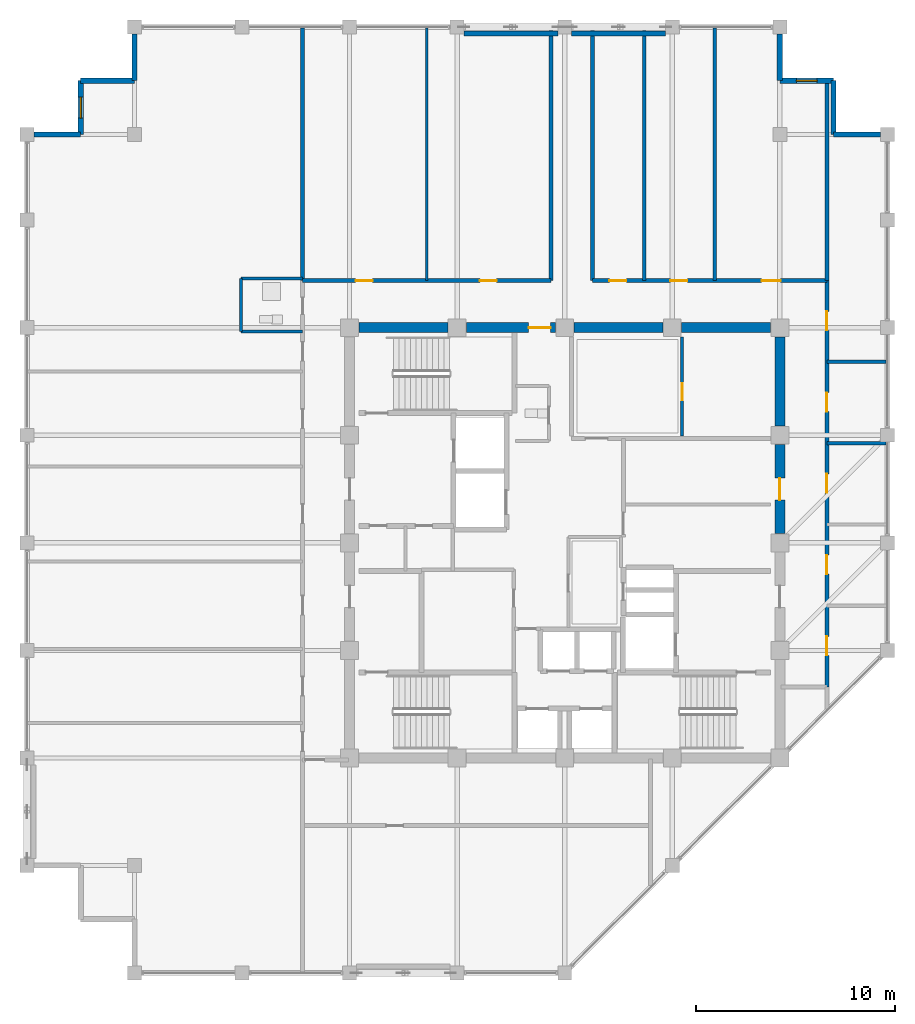
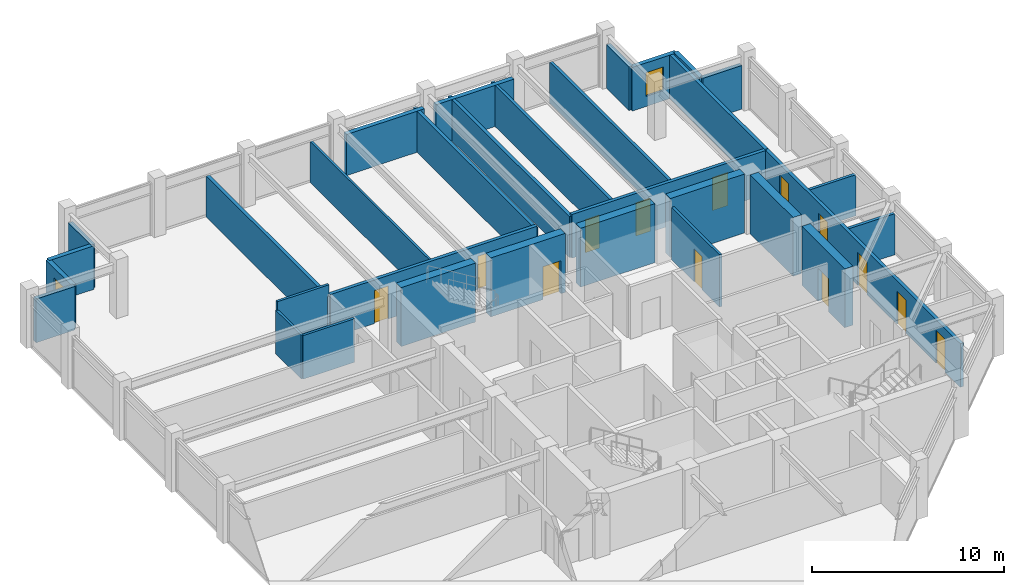
# One storey, part 28 of 31: 32 walls, 13 doors, 2 windows, 15 openings.
"""IFC4 building model written with IfcOpenShell, lengths in metres."""

from ifc_helpers import new_model, si_unit, direction, frame, frame_2d, origin, place, context, subcontext, project, spatial, rectangle, extrude, material, layer, layer_set, type_object, element, fill, save


model = new_model("IFC4")

# Units and contexts
model_context = context("Model", 3, precision=1e-05, world=origin(), true_north=direction((0.0, 1.0)))
body_context = subcontext(model_context, "Body", "Model", "MODEL_VIEW")
ifc_project = project(units=[si_unit("LENGTHUNIT", "METRE"), si_unit("AREAUNIT", "SQUARE_METRE"), si_unit("VOLUMEUNIT", "CUBIC_METRE"), si_unit("PLANEANGLEUNIT", "RADIAN"), si_unit("MASSUNIT", "GRAM", prefix="KILO")], contexts=[model_context])

# Site, building, storey
site_placement = place(None, origin())
site = spatial("IfcSite", under=ifc_project, at=site_placement, CompositionType="ELEMENT")
building_placement = place(site_placement, origin())
building = spatial("IfcBuilding", under=site, at=building_placement, Name="Surkhivell Harbour Commons", CompositionType="ELEMENT")
storey_placement = place(building_placement, frame((0.0, 0.0, 333.75)))
storey = spatial("IfcBuildingStorey", under=building, at=storey_placement, Name="L87", CompositionType="ELEMENT", Elevation=333.75)

# Wall
ifc_material_1 = material(Name="Concrete C50/60", Category="concrete")
ifc_layer_1 = layer(ifc_material_1, 0.5)
ifc_layer_set_1 = layer_set([ifc_layer_1], Name="Concrete C50/60")
wall_type_1 = type_object("IfcWallType", Name="WAL-CORE-500", PredefinedType="SHEAR", material=ifc_layer_set_1)
wall_1_placement = place(storey_placement, frame((-10.340087890625, 10.800048828125, 0.0), z_axis=(0.0, 0.0, 1.0), x_axis=(1.0, 0.0, 0.0)))
element("IfcWall", 1, at=wall_1_placement, inside=storey, type_object=wall_type_1, Name="L87 Core Shear Wall North 1", PredefinedType="SHEAR", context=body_context, shape_type="SweptSolid", body=[
    extrude(rectangle(XDim=4.47998046875, YDim=0.5, at=frame_2d((2.239990234375, 0.0))), origin(), (0.0, 0.0, 1.0), 3.75),
])

# Wall, opening, door
wall_2_placement = place(storey_placement, frame((-4.93994140625, 10.800048828125, 0.0), z_axis=(0.0, 0.0, 1.0), x_axis=(1.0, 0.0, 0.0)))
wall_2 = element("IfcWall", 2, at=wall_2_placement, inside=storey, type_object=wall_type_1, Name="L87 Core Shear Wall North 2", PredefinedType="SHEAR", context=body_context, shape_type="SweptSolid", body=[
    extrude(rectangle(XDim=4.47998046875, YDim=0.5, at=frame_2d((2.239990234375, 0.0))), origin(), (0.0, 0.0, 1.0), 3.75),
])
opening_1_placement = place(wall_2_placement, frame((3.1298828125, 0.0, 0.0)))
opening_1 = element("IfcOpeningElement", 3, at=opening_1_placement, cuts=wall_2, Name="Opening ID-2", PredefinedType="OPENING", context=body_context, shape_type="SweptSolid", body=[
    extrude(rectangle(XDim=1.10009765625, YDim=2.10009765625, at=frame_2d((0.550048828125, 1.050048828125))), frame((0.0, 0.260009765625, 0.0), z_axis=(0.0, -1.0, 0.0), x_axis=(1.0, 0.0, 0.0)), (0.0, 0.0, 1.0), 0.52001953125),
])
ifc_material_2 = material(Name="Hardwood-veneered fire-rated door leaf", Category="wood")
door_type_1 = type_object("IfcDoorType", Name="DOR-FD60-1100", OperationType="NOTDEFINED", PredefinedType="DOOR", material=ifc_material_2)
door_1_placement = place(opening_1_placement, origin())
door_1 = element("IfcDoor", 4, at=door_1_placement, inside=storey, type_object=door_type_1, Name="L87 Central Core Lift Hall North Corridor Door", OperationType="SINGLE_SWING_LEFT", OverallHeight=2.10009765625, OverallWidth=1.10009765625, PredefinedType="DOOR", context=body_context, shape_type="SweptSolid", body=[
    extrude(rectangle(XDim=1.10009765625, YDim=2.10009765625, at=frame_2d((0.550048828125, 1.050048828125))), frame((0.0, 0.02490234375, 0.0), z_axis=(0.0, -1.0, 0.0), x_axis=(1.0, 0.0, 0.0)), (0.0, 0.0, 1.0), 0.050048828125),
])
fill(opening_1, door_1)

# Wall
wall_3_placement = place(storey_placement, frame((0.4599609375, 10.800048828125, 0.0), z_axis=(0.0, 0.0, 1.0), x_axis=(1.0, 0.0, 0.0)))
element("IfcWall", 5, at=wall_3_placement, inside=storey, type_object=wall_type_1, Name="L87 Core Shear Wall North 3", PredefinedType="SHEAR", context=body_context, shape_type="SweptSolid", body=[
    extrude(rectangle(XDim=4.47998046875, YDim=0.5, at=frame_2d((2.239990234375, 0.0))), origin(), (0.0, 0.0, 1.0), 3.75),
])

# Wall, opening, door
wall_4_placement = place(storey_placement, frame((10.800048828125, 0.4599609375, 0.0), z_axis=(0.0, 0.0, 1.0), x_axis=(0.0, 1.0, 0.0)))
wall_4 = element("IfcWall", 6, at=wall_4_placement, inside=storey, type_object=wall_type_1, Name="L87 Core Shear Wall East 3", PredefinedType="SHEAR", context=body_context, shape_type="SweptSolid", body=[
    extrude(rectangle(XDim=4.47998046875, YDim=0.5, at=frame_2d((2.239990234375, 0.0))), origin(), (0.0, 0.0, 1.0), 3.75),
])
opening_2_placement = place(wall_4_placement, frame((1.68994140625, 0.0, 0.0)))
opening_2 = element("IfcOpeningElement", 7, at=opening_2_placement, cuts=wall_4, Name="Opening ID-2", PredefinedType="OPENING", context=body_context, shape_type="SweptSolid", body=[
    extrude(rectangle(XDim=1.10009765625, YDim=2.10009765625, at=frame_2d((0.550048828125, 1.050048828125))), frame((0.0, 0.260009765625, 0.0), z_axis=(0.0, -1.0, 0.0), x_axis=(1.0, 0.0, 0.0)), (0.0, 0.0, 1.0), 0.52001953125),
])
door_2_placement = place(opening_2_placement, origin())
door_2 = element("IfcDoor", 8, at=door_2_placement, inside=storey, type_object=door_type_1, Name="L87 Quiet Study B East Door", OperationType="SINGLE_SWING_RIGHT", OverallHeight=2.10009765625, OverallWidth=1.10009765625, PredefinedType="DOOR", context=body_context, shape_type="SweptSolid", body=[
    extrude(rectangle(XDim=1.10009765625, YDim=2.10009765625, at=frame_2d((0.550048828125, 1.050048828125))), frame((0.0, 0.02490234375, 0.0), z_axis=(0.0, -1.0, 0.0), x_axis=(1.0, 0.0, 0.0)), (0.0, 0.0, 1.0), 0.050048828125),
])
fill(opening_2, door_2)

# Walls
for number, where, z_axis, x_axis, name in (
    (9, (5.860107421875, 10.800048828125, 0.0), (0.0, 0.0, 1.0), (1.0, 0.0, 0.0), "L87 Core Shear Wall North 4"),
    (10, (10.800048828125, 5.860107421875, 0.0), (0.0, 0.0, 1.0), (0.0, 1.0, 0.0), "L87 Core Shear Wall East 4"),
):
    element("IfcWall", number, at=place(storey_placement, frame(where, z_axis=z_axis, x_axis=x_axis)), inside=storey, type_object=wall_type_1, Name=name, PredefinedType="SHEAR", context=body_context, shape_type="SweptSolid", body=[
        extrude(rectangle(XDim=4.47998046875, YDim=0.5, at=frame_2d((2.239990234375, 0.0))), origin(), (0.0, 0.0, 1.0), 3.75),
    ])
ifc_material_3 = material(Name="Pale-metal insulated precast concrete C45/55", Category="concrete")
ifc_layer_2 = layer(ifc_material_3, 0.260009765625)
ifc_layer_set_2 = layer_set([ifc_layer_2], Name="Pale-metal insulated precast concrete C45/55")
wall_type_2 = type_object("IfcWallType", Name="WAL-EXT-MTL260", PredefinedType="STANDARD", material=ifc_layer_set_2)
wall_5_placement = place(storey_placement, frame((15.85205078125, 20.5, 0.0), z_axis=(0.0, 0.0, 1.0), x_axis=(-1.0, 0.0, 0.0)))
element("IfcWall", 11, at=wall_5_placement, inside=storey, type_object=wall_type_2, Name="L87 Serrated Corner Facade Wall 03", PredefinedType="STANDARD", context=body_context, shape_type="SweptSolid", body=[
    extrude(rectangle(XDim=2.35205078125, YDim=0.260009765625, at=frame_2d((1.176025390625, 0.0))), origin(), (0.0, 0.0, 1.0), 2.77294921875),
])
wall_6_placement = place(storey_placement, frame((13.5, 20.5, 0.0), z_axis=(0.0, 0.0, 1.0), x_axis=(0.0, 1.0, 0.0)))
element("IfcWall", 12, at=wall_6_placement, inside=storey, type_object=wall_type_2, Name="L87 Serrated Corner Facade Wall 04", PredefinedType="STANDARD", context=body_context, shape_type="SweptSolid", body=[
    extrude(rectangle(XDim=2.699951171875, YDim=0.260009765625, at=frame_2d((1.35009765625, 0.0))), origin(), (0.0, 0.0, 1.0), 2.77294921875),
])

# Wall, opening, window
wall_7_placement = place(storey_placement, frame((13.5, 23.199951171875, 0.0), z_axis=(0.0, 0.0, 1.0), x_axis=(-1.0, 0.0, 0.0)))
wall_7 = element("IfcWall", 13, at=wall_7_placement, inside=storey, type_object=wall_type_2, Name="L87 Serrated Corner Facade Wall 05", PredefinedType="STANDARD", context=body_context, shape_type="SweptSolid", body=[
    extrude(rectangle(XDim=2.699951171875, YDim=0.260009765625, at=frame_2d((1.35009765625, 0.0))), origin(), (0.0, 0.0, 1.0), 2.77294921875),
])
opening_3_placement = place(wall_7_placement, frame((0.824951171875, 0.0, 0.64990234375)))
opening_3 = element("IfcOpeningElement", 14, at=opening_3_placement, cuts=wall_7, Name="Opening WN-11", PredefinedType="OPENING", context=body_context, shape_type="SweptSolid", body=[
    extrude(rectangle(XDim=1.050048828125, YDim=1.5, at=frame_2d((0.52490234375, 0.75))), frame((0.0, 0.139892578125, 0.0), z_axis=(0.0, -1.0, 0.0), x_axis=(1.0, 0.0, 0.0)), (0.0, 0.0, 1.0), 0.280029296875),
])
ifc_material_4 = material(Name="Thermal-break aluminium frame and double low-E glazing", Category="aluminium")
window_type = type_object("IfcWindowType", Name="WIN-SER-1050x1500", PartitioningType="SINGLE_PANEL", PredefinedType="WINDOW", material=ifc_material_4)
window_1_placement = place(opening_3_placement, origin())
window_1 = element("IfcWindow", 15, at=window_1_placement, inside=storey, type_object=window_type, Name="L87 Serrated Alcove Window 05", OverallHeight=1.5, OverallWidth=1.050048828125, PartitioningType="SINGLE_PANEL", PredefinedType="WINDOW", context=body_context, shape_type="SweptSolid", body=[
    extrude(rectangle(XDim=1.050048828125, YDim=1.5, at=frame_2d((0.52490234375, 0.75))), frame((0.0, 0.030029296875, 0.0), z_axis=(0.0, -1.0, 0.0), x_axis=(1.0, 0.0, 0.0)), (0.0, 0.0, 1.0), 0.06005859375),
])
fill(opening_3, window_1)

# Walls
wall_8_placement = place(storey_placement, frame((10.800048828125, 23.199951171875, 0.0), z_axis=(0.0, 0.0, 1.0), x_axis=(0.0, 1.0, 0.0)))
element("IfcWall", 16, at=wall_8_placement, inside=storey, type_object=wall_type_2, Name="L87 Serrated Corner Facade Wall 06", PredefinedType="STANDARD", context=body_context, shape_type="SweptSolid", body=[
    extrude(rectangle(XDim=2.35205078125, YDim=0.260009765625, at=frame_2d((1.176025390625, 0.0))), origin(), (0.0, 0.0, 1.0), 2.77294921875),
])
for number, where, z_axis, x_axis, name in (
    (17, (-0.347900390625, 25.56494140625, 0.0), (0.0, 0.0, 1.0), (-1.0, 0.0, 0.0), "L87 Braced-Bay Insulated Spandrel Backing N"),
    (18, (5.052001953125, 25.56494140625, 0.0), (0.0, 0.0, 1.0), (-1.0, 0.0, 0.0), "L87 Braced-Bay Insulated Spandrel Backing N2"),
):
    element("IfcWall", number, at=place(storey_placement, frame(where, z_axis=z_axis, x_axis=x_axis)), inside=storey, type_object=wall_type_2, Name=name, PredefinedType="STANDARD", context=body_context, shape_type="SweptSolid", body=[
        extrude(rectangle(XDim=4.7041015625, YDim=0.260009765625, at=frame_2d((2.35205078125, 0.0))), origin(), (0.0, 0.0, 1.0), 2.616943359375),
    ])
wall_9_placement = place(storey_placement, frame((-21.60009765625, 25.552001953125, 0.0), z_axis=(0.0, 0.0, 1.0), x_axis=(0.0, -1.0, 0.0)))
element("IfcWall", 19, at=wall_9_placement, inside=storey, type_object=wall_type_2, Name="L87 Serrated Corner Facade Wall 08", PredefinedType="STANDARD", context=body_context, shape_type="SweptSolid", body=[
    extrude(rectangle(XDim=2.35205078125, YDim=0.260009765625, at=frame_2d((1.176025390625, 0.0))), origin(), (0.0, 0.0, 1.0), 2.77294921875),
])
wall_10_placement = place(storey_placement, frame((-21.60009765625, 23.199951171875, 0.0), z_axis=(0.0, 0.0, 1.0), x_axis=(-1.0, 0.0, 0.0)))
element("IfcWall", 20, at=wall_10_placement, inside=storey, type_object=wall_type_2, Name="L87 Serrated Corner Facade Wall 09", PredefinedType="STANDARD", context=body_context, shape_type="SweptSolid", body=[
    extrude(rectangle(XDim=2.699951171875, YDim=0.260009765625, at=frame_2d((1.35009765625, 0.0))), origin(), (0.0, 0.0, 1.0), 2.77294921875),
])

# Wall, opening, window
wall_11_placement = place(storey_placement, frame((-24.300048828125, 23.199951171875, 0.0), z_axis=(0.0, 0.0, 1.0), x_axis=(0.0, -1.0, 0.0)))
wall_11 = element("IfcWall", 21, at=wall_11_placement, inside=storey, type_object=wall_type_2, Name="L87 Serrated Corner Facade Wall 10", PredefinedType="STANDARD", context=body_context, shape_type="SweptSolid", body=[
    extrude(rectangle(XDim=2.699951171875, YDim=0.260009765625, at=frame_2d((1.35009765625, 0.0))), origin(), (0.0, 0.0, 1.0), 2.77294921875),
])
opening_4_placement = place(wall_11_placement, frame((0.824951171875, 0.0, 0.64990234375)))
opening_4 = element("IfcOpeningElement", 22, at=opening_4_placement, cuts=wall_11, Name="Opening WN-11", PredefinedType="OPENING", context=body_context, shape_type="SweptSolid", body=[
    extrude(rectangle(XDim=1.050048828125, YDim=1.5, at=frame_2d((0.52490234375, 0.75))), frame((0.0, 0.139892578125, 0.0), z_axis=(0.0, -1.0, 0.0), x_axis=(1.0, 0.0, 0.0)), (0.0, 0.0, 1.0), 0.280029296875),
])
window_2_placement = place(opening_4_placement, origin())
window_2 = element("IfcWindow", 23, at=window_2_placement, inside=storey, type_object=window_type, Name="L87 Serrated Alcove Window 10", OverallHeight=1.5, OverallWidth=1.050048828125, PartitioningType="SINGLE_PANEL", PredefinedType="WINDOW", context=body_context, shape_type="SweptSolid", body=[
    extrude(rectangle(XDim=1.050048828125, YDim=1.5, at=frame_2d((0.52490234375, 0.75))), frame((0.0, 0.030029296875, 0.0), z_axis=(0.0, -1.0, 0.0), x_axis=(1.0, 0.0, 0.0)), (0.0, 0.0, 1.0), 0.06005859375),
])
fill(opening_4, window_2)

# Walls
wall_12_placement = place(storey_placement, frame((-24.300048828125, 20.5, 0.0), z_axis=(0.0, 0.0, 1.0), x_axis=(-1.0, 0.0, 0.0)))
element("IfcWall", 24, at=wall_12_placement, inside=storey, type_object=wall_type_2, Name="L87 Serrated Corner Facade Wall 11", PredefinedType="STANDARD", context=body_context, shape_type="SweptSolid", body=[
    extrude(rectangle(XDim=2.35205078125, YDim=0.260009765625, at=frame_2d((1.176025390625, 0.0))), origin(), (0.0, 0.0, 1.0), 2.77294921875),
])
ifc_material_5 = material(Name="Moisture-resistant acoustic stud partition", Category="other")
ifc_layer_3 = layer(ifc_material_5, 0.125)
ifc_layer_set_3 = layer_set([ifc_layer_3], Name="Moisture-resistant acoustic stud partition")
wall_type_3 = type_object("IfcWallType", Name="WAL-INT-125", PredefinedType="PARTITIONING", material=ifc_layer_set_3)
wall_13_placement = place(storey_placement, frame((-6.929931640625, 13.159912109375, 0.0), z_axis=(0.0, 0.0, 1.0), x_axis=(0.0, 1.0, 0.0)))
element("IfcWall", 25, at=wall_13_placement, inside=storey, type_object=wall_type_3, Name="L87 North-West Partition P1", PredefinedType="PARTITIONING", context=body_context, shape_type="SweptSolid", body=[
    extrude(rectangle(XDim=12.68017578125, YDim=0.125, at=frame_2d((6.340087890625, 0.0))), origin(), (0.0, 0.0, 1.0), 2.616943359375),
])

# Wall, opening, door
ifc_material_6 = material(Name="Twin-stud acoustic fireboard partition", Category="other")
ifc_layer_4 = layer(ifc_material_6, 0.14990234375)
ifc_layer_set_4 = layer_set([ifc_layer_4], Name="Twin-stud acoustic fireboard partition")
wall_type_4 = type_object("IfcWallType", Name="WAL-INT-150", PredefinedType="PARTITIONING", material=ifc_layer_set_4)
wall_14_placement = place(storey_placement, frame((5.89990234375, 5.360107421875, 0.0), z_axis=(0.0, 0.0, 1.0), x_axis=(0.0, 1.0, 0.0)))
wall_14 = element("IfcWall", 26, at=wall_14_placement, inside=storey, type_object=wall_type_4, Name="L87 Study Pod Wall 1", PredefinedType="PARTITIONING", context=body_context, shape_type="SweptSolid", body=[
    extrude(rectangle(XDim=4.97998046875, YDim=0.14990234375, at=frame_2d((2.489990234375, 0.0))), origin(), (0.0, 0.0, 1.0), 3.330078125),
])
opening_5_placement = place(wall_14_placement, frame((1.800048828125, 0.0, 0.0)))
opening_5 = element("IfcOpeningElement", 27, at=opening_5_placement, cuts=wall_14, Name="Opening ID-6", PredefinedType="OPENING", context=body_context, shape_type="SweptSolid", body=[
    extrude(rectangle(XDim=0.85009765625, YDim=2.10009765625, at=frame_2d((0.425048828125, 1.050048828125))), frame((0.0, 0.0849609375, 0.0), z_axis=(0.0, -1.0, 0.0), x_axis=(1.0, 0.0, 0.0)), (0.0, 0.0, 1.0), 0.169921875),
])
door_type_2 = type_object("IfcDoorType", Name="DOR-FD30-850", OperationType="NOTDEFINED", PredefinedType="DOOR", material=ifc_material_2)
door_3_placement = place(opening_5_placement, origin())
door_3 = element("IfcDoor", 28, at=door_3_placement, inside=storey, type_object=door_type_2, Name="L87 Core Music Door", OperationType="SINGLE_SWING_RIGHT", OverallHeight=2.10009765625, OverallWidth=0.85009765625, PredefinedType="DOOR", context=body_context, shape_type="SweptSolid", body=[
    extrude(rectangle(XDim=0.85009765625, YDim=2.10009765625, at=frame_2d((0.425048828125, 1.050048828125))), frame((0.0, 0.02490234375, 0.0), z_axis=(0.0, -1.0, 0.0), x_axis=(1.0, 0.0, 0.0)), (0.0, 0.0, 1.0), 0.050048828125),
])
fill(opening_5, door_3)

# Walls
wall_15_placement = place(storey_placement, frame((-16.260009765625, 10.610107421875, 0.0), z_axis=(0.0, 0.0, 1.0), x_axis=(0.0, 1.0, 0.0)))
element("IfcWall", 29, at=wall_15_placement, inside=storey, type_object=wall_type_4, Name="L87 West Partition BTHB", PredefinedType="PARTITIONING", context=body_context, shape_type="SweptSolid", body=[
    extrude(rectangle(XDim=2.64990234375, YDim=0.14990234375, at=frame_2d((1.324951171875, 0.0))), origin(), (0.0, 0.0, 1.0), 2.77294921875),
])
wall_16_placement = place(storey_placement, frame((-16.260009765625, 13.260009765625, 0.0), z_axis=(0.0, 0.0, 1.0), x_axis=(1.0, 0.0, 0.0)))
element("IfcWall", 30, at=wall_16_placement, inside=storey, type_object=wall_type_4, Name="L87 West Partition BTHN", PredefinedType="PARTITIONING", context=body_context, shape_type="SweptSolid", body=[
    extrude(rectangle(XDim=3.10009765625, YDim=0.14990234375, at=frame_2d((1.550048828125, 0.0))), origin(), (0.0, 0.0, 1.0), 3.330078125),
])
wall_17_placement = place(storey_placement, frame((-16.260009765625, 10.610107421875, 0.0), z_axis=(0.0, 0.0, 1.0), x_axis=(1.0, 0.0, 0.0)))
element("IfcWall", 31, at=wall_17_placement, inside=storey, type_object=wall_type_4, Name="L87 West Partition BTHS", PredefinedType="PARTITIONING", context=body_context, shape_type="SweptSolid", body=[
    extrude(rectangle(XDim=3.10009765625, YDim=0.14990234375, at=frame_2d((1.550048828125, 0.0))), origin(), (0.0, 0.0, 1.0), 2.77294921875),
])
ifc_material_7 = material(Name="High-density acoustic blockwork fire partition", Category="masonry")
ifc_layer_5 = layer(ifc_material_7, 0.175048828125)
ifc_layer_set_5 = layer_set([ifc_layer_5], Name="High-density acoustic blockwork fire partition")
wall_type_5 = type_object("IfcWallType", Name="WAL-INT-175", PredefinedType="PARTITIONING", material=ifc_layer_set_5)
for number, where, z_axis, x_axis, name in (
    (32, (13.159912109375, 5.0, 0.0), (0.0, 0.0, 1.0), (1.0, 0.0, 0.0), "L87 East Partition P3"),
    (33, (13.159912109375, 9.080078125, 0.0), (0.0, 0.0, 1.0), (1.0, 0.0, 0.0), "L87 East Partition P4"),
):
    element("IfcWall", number, at=place(storey_placement, frame(where, z_axis=z_axis, x_axis=x_axis)), inside=storey, type_object=wall_type_5, Name=name, PredefinedType="PARTITIONING", context=body_context, shape_type="SweptSolid", body=[
        extrude(rectangle(XDim=2.97998046875, YDim=0.175048828125, at=frame_2d((1.489990234375, 0.0))), origin(), (0.0, 0.0, 1.0), 2.616943359375),
    ])
for number, where, z_axis, x_axis, name in (
    (34, (3.989990234375, 13.159912109375, 0.0), (0.0, 0.0, 1.0), (0.0, 1.0, 0.0), "L87 North-East Partition P1"),
    (35, (7.52001953125, 13.159912109375, 0.0), (0.0, 0.0, 1.0), (0.0, 1.0, 0.0), "L87 North-East Partition P2"),
):
    element("IfcWall", number, at=place(storey_placement, frame(where, z_axis=z_axis, x_axis=x_axis)), inside=storey, type_object=wall_type_5, Name=name, PredefinedType="PARTITIONING", context=body_context, shape_type="SweptSolid", body=[
        extrude(rectangle(XDim=12.68017578125, YDim=0.175048828125, at=frame_2d((6.340087890625, 0.0))), origin(), (0.0, 0.0, 1.0), 2.616943359375),
    ])
ifc_material_8 = material(Name="Autoclaved aerated concrete blockwork and fire plaster", Category="masonry")
ifc_layer_6 = layer(ifc_material_8, 0.199951171875)
ifc_layer_set_6 = layer_set([ifc_layer_6], Name="Autoclaved aerated concrete blockwork and fire plaster")
wall_type_6 = type_object("IfcWallType", Name="WAL-INT-200", PredefinedType="PARTITIONING", material=ifc_layer_set_6)
wall_18_placement = place(storey_placement, frame((13.159912109375, 13.159912109375, 0.0), z_axis=(0.0, 0.0, 1.0), x_axis=(0.0, 1.0, 0.0)))
element("IfcWall", 36, at=wall_18_placement, inside=storey, type_object=wall_type_6, Name="L87 North-East Corner Wall", PredefinedType="PARTITIONING", context=body_context, shape_type="SweptSolid", body=[
    extrude(rectangle(XDim=9.97998046875, YDim=0.199951171875, at=frame_2d((4.989990234375, 0.0))), origin(), (0.0, 0.0, 1.0), 2.77294921875),
])
wall_19_placement = place(storey_placement, frame((-13.159912109375, 13.159912109375, 0.0), z_axis=(0.0, 0.0, 1.0), x_axis=(0.0, 1.0, 0.0)))
element("IfcWall", 37, at=wall_19_placement, inside=storey, type_object=wall_type_6, Name="L87 North-West Corner Wall", PredefinedType="PARTITIONING", context=body_context, shape_type="SweptSolid", body=[
    extrude(rectangle(XDim=12.68017578125, YDim=0.199951171875, at=frame_2d((6.340087890625, 0.0))), origin(), (0.0, 0.0, 1.0), 2.616943359375),
])

# Wall, openings, doors
wall_20_placement = place(storey_placement, frame((13.159912109375, -7.239990234375, 0.0), z_axis=(0.0, 0.0, 1.0), x_axis=(0.0, 1.0, 0.0)))
wall_20 = element("IfcWall", 38, at=wall_20_placement, inside=storey, type_object=wall_type_6, Name="L87 East Corridor Wall", PredefinedType="PARTITIONING", context=body_context, shape_type="SweptSolid", body=[
    extrude(rectangle(XDim=20.39990234375, YDim=0.199951171875, at=frame_2d((10.199951171875, 0.0))), origin(), (0.0, 0.0, 1.0), 2.77294921875),
])
opening_6_placement = place(wall_20_placement, frame((1.590087890625, 0.0, 0.0)))
opening_6 = element("IfcOpeningElement", 39, at=opening_6_placement, cuts=wall_20, Name="Opening ID-4", PredefinedType="OPENING", context=body_context, shape_type="SweptSolid", body=[
    extrude(rectangle(XDim=0.949951171875, YDim=2.10009765625, at=frame_2d((0.47509765625, 1.050048828125))), frame((0.0, 0.10986328125, 0.0), z_axis=(0.0, -1.0, 0.0), x_axis=(1.0, 0.0, 0.0)), (0.0, 0.0, 1.0), 0.219970703125),
])
opening_7_placement = place(wall_20_placement, frame((5.669921875, 0.0, 0.0)))
opening_7 = element("IfcOpeningElement", 40, at=opening_7_placement, cuts=wall_20, Name="Opening ID-4", PredefinedType="OPENING", context=body_context, shape_type="SweptSolid", body=[
    extrude(rectangle(XDim=0.949951171875, YDim=2.10009765625, at=frame_2d((0.47509765625, 1.050048828125))), frame((0.0, 0.10986328125, 0.0), z_axis=(0.0, -1.0, 0.0), x_axis=(1.0, 0.0, 0.0)), (0.0, 0.0, 1.0), 0.219970703125),
])
opening_8_placement = place(wall_20_placement, frame((9.75, 0.0, 0.0)))
opening_8 = element("IfcOpeningElement", 41, at=opening_8_placement, cuts=wall_20, Name="Opening ID-4", PredefinedType="OPENING", context=body_context, shape_type="SweptSolid", body=[
    extrude(rectangle(XDim=0.949951171875, YDim=2.10009765625, at=frame_2d((0.47509765625, 1.050048828125))), frame((0.0, 0.10986328125, 0.0), z_axis=(0.0, -1.0, 0.0), x_axis=(1.0, 0.0, 0.0)), (0.0, 0.0, 1.0), 0.219970703125),
])
opening_9_placement = place(wall_20_placement, frame((13.830078125, 0.0, 0.0)))
opening_9 = element("IfcOpeningElement", 42, at=opening_9_placement, cuts=wall_20, Name="Opening ID-4", PredefinedType="OPENING", context=body_context, shape_type="SweptSolid", body=[
    extrude(rectangle(XDim=0.949951171875, YDim=2.10009765625, at=frame_2d((0.47509765625, 1.050048828125))), frame((0.0, 0.10986328125, 0.0), z_axis=(0.0, -1.0, 0.0), x_axis=(1.0, 0.0, 0.0)), (0.0, 0.0, 1.0), 0.219970703125),
])
opening_10_placement = place(wall_20_placement, frame((17.909912109375, 0.0, 0.0)))
opening_10 = element("IfcOpeningElement", 43, at=opening_10_placement, cuts=wall_20, Name="Opening ID-4", PredefinedType="OPENING", context=body_context, shape_type="SweptSolid", body=[
    extrude(rectangle(XDim=0.949951171875, YDim=2.10009765625, at=frame_2d((0.47509765625, 1.050048828125))), frame((0.0, 0.10986328125, 0.0), z_axis=(0.0, -1.0, 0.0), x_axis=(1.0, 0.0, 0.0)), (0.0, 0.0, 1.0), 0.219970703125),
])
door_type_3 = type_object("IfcDoorType", Name="DOR-FD60-950", OperationType="NOTDEFINED", PredefinedType="DOOR", material=ifc_material_2)
door_4_placement = place(opening_6_placement, origin())
door_4 = element("IfcDoor", 44, at=door_4_placement, inside=storey, type_object=door_type_3, Name="L87 Co-Working Study Office Pod 1 East Door", OperationType="SINGLE_SWING_LEFT", OverallHeight=2.10009765625, OverallWidth=0.949951171875, PredefinedType="DOOR", context=body_context, shape_type="SweptSolid", body=[
    extrude(rectangle(XDim=0.949951171875, YDim=2.10009765625, at=frame_2d((0.47509765625, 1.050048828125))), frame((0.0, 0.02490234375, 0.0), z_axis=(0.0, -1.0, 0.0), x_axis=(1.0, 0.0, 0.0)), (0.0, 0.0, 1.0), 0.050048828125),
])
fill(opening_6, door_4)
door_5_placement = place(opening_7_placement, origin())
door_5 = element("IfcDoor", 45, at=door_5_placement, inside=storey, type_object=door_type_3, Name="L87 Academic Seminar Pod 2 East Door", OperationType="SINGLE_SWING_RIGHT", OverallHeight=2.10009765625, OverallWidth=0.949951171875, PredefinedType="DOOR", context=body_context, shape_type="SweptSolid", body=[
    extrude(rectangle(XDim=0.949951171875, YDim=2.10009765625, at=frame_2d((0.47509765625, 1.050048828125))), frame((0.0, 0.02490234375, 0.0), z_axis=(0.0, -1.0, 0.0), x_axis=(1.0, 0.0, 0.0)), (0.0, 0.0, 1.0), 0.050048828125),
])
fill(opening_7, door_5)
door_6_placement = place(opening_8_placement, origin())
door_6 = element("IfcDoor", 46, at=door_6_placement, inside=storey, type_object=door_type_3, Name="L87 Harbour Espresso Cafe Shop 3 East Door", OperationType="SINGLE_SWING_LEFT", OverallHeight=2.10009765625, OverallWidth=0.949951171875, PredefinedType="DOOR", context=body_context, shape_type="SweptSolid", body=[
    extrude(rectangle(XDim=0.949951171875, YDim=2.10009765625, at=frame_2d((0.47509765625, 1.050048828125))), frame((0.0, 0.02490234375, 0.0), z_axis=(0.0, -1.0, 0.0), x_axis=(1.0, 0.0, 0.0)), (0.0, 0.0, 1.0), 0.050048828125),
])
fill(opening_8, door_6)
door_7_placement = place(opening_9_placement, origin())
door_7 = element("IfcDoor", 47, at=door_7_placement, inside=storey, type_object=door_type_3, Name="L87 Zone Concierge Reception Foyer 4 East Door", OperationType="SINGLE_SWING_RIGHT", OverallHeight=2.10009765625, OverallWidth=0.949951171875, PredefinedType="DOOR", context=body_context, shape_type="SweptSolid", body=[
    extrude(rectangle(XDim=0.949951171875, YDim=2.10009765625, at=frame_2d((0.47509765625, 1.050048828125))), frame((0.0, 0.02490234375, 0.0), z_axis=(0.0, -1.0, 0.0), x_axis=(1.0, 0.0, 0.0)), (0.0, 0.0, 1.0), 0.050048828125),
])
fill(opening_9, door_7)
door_8_placement = place(opening_10_placement, origin())
door_8 = element("IfcDoor", 48, at=door_8_placement, inside=storey, type_object=door_type_3, Name="L87 Shared Communal Kitchen 5 East Door", OperationType="SINGLE_SWING_LEFT", OverallHeight=2.10009765625, OverallWidth=0.949951171875, PredefinedType="DOOR", context=body_context, shape_type="SweptSolid", body=[
    extrude(rectangle(XDim=0.949951171875, YDim=2.10009765625, at=frame_2d((0.47509765625, 1.050048828125))), frame((0.0, 0.02490234375, 0.0), z_axis=(0.0, -1.0, 0.0), x_axis=(1.0, 0.0, 0.0)), (0.0, 0.0, 1.0), 0.050048828125),
])
fill(opening_10, door_8)

wall_21_placement = place(storey_placement, frame((-13.159912109375, 13.159912109375, 0.0), z_axis=(0.0, 0.0, 1.0), x_axis=(1.0, 0.0, 0.0)))
wall_21 = element("IfcWall", 49, at=wall_21_placement, inside=storey, type_object=wall_type_6, Name="L87 North-West Corridor Wall", PredefinedType="PARTITIONING", context=body_context, shape_type="SweptSolid", body=[
    extrude(rectangle(XDim=12.4599609375, YDim=0.199951171875, at=frame_2d((6.22998046875, 0.0))), origin(), (0.0, 0.0, 1.0), 2.77294921875),
])
opening_11_placement = place(wall_21_placement, frame((2.6650390625, 0.0, 0.0)))
opening_11 = element("IfcOpeningElement", 50, at=opening_11_placement, cuts=wall_21, Name="Opening ID-6", PredefinedType="OPENING", context=body_context, shape_type="SweptSolid", body=[
    extrude(rectangle(XDim=0.85009765625, YDim=2.10009765625, at=frame_2d((0.425048828125, 1.050048828125))), frame((0.0, 0.10986328125, 0.0), z_axis=(0.0, -1.0, 0.0), x_axis=(1.0, 0.0, 0.0)), (0.0, 0.0, 1.0), 0.219970703125),
])
opening_12_placement = place(wall_21_placement, frame((8.89501953125, 0.0, 0.0)))
opening_12 = element("IfcOpeningElement", 51, at=opening_12_placement, cuts=wall_21, Name="Opening ID-6", PredefinedType="OPENING", context=body_context, shape_type="SweptSolid", body=[
    extrude(rectangle(XDim=0.85009765625, YDim=2.10009765625, at=frame_2d((0.425048828125, 1.050048828125))), frame((0.0, 0.10986328125, 0.0), z_axis=(0.0, -1.0, 0.0), x_axis=(1.0, 0.0, 0.0)), (0.0, 0.0, 1.0), 0.219970703125),
])
door_9_placement = place(opening_11_placement, origin())
door_9 = element("IfcDoor", 52, at=door_9_placement, inside=storey, type_object=door_type_2, Name="L87 Campus Co-Op Bookshop North-West Door", OperationType="SINGLE_SWING_RIGHT", OverallHeight=2.10009765625, OverallWidth=0.85009765625, PredefinedType="DOOR", context=body_context, shape_type="SweptSolid", body=[
    extrude(rectangle(XDim=0.85009765625, YDim=2.10009765625, at=frame_2d((0.425048828125, 1.050048828125))), frame((0.0, 0.02490234375, 0.0), z_axis=(0.0, -1.0, 0.0), x_axis=(1.0, 0.0, 0.0)), (0.0, 0.0, 1.0), 0.050048828125),
])
fill(opening_11, door_9)
door_10_placement = place(opening_12_placement, origin())
door_10 = element("IfcDoor", 53, at=door_10_placement, inside=storey, type_object=door_type_2, Name="L87 Harbour Espresso Cafe Shop North-West Door", OperationType="SINGLE_SWING_LEFT", OverallHeight=2.10009765625, OverallWidth=0.85009765625, PredefinedType="DOOR", context=body_context, shape_type="SweptSolid", body=[
    extrude(rectangle(XDim=0.85009765625, YDim=2.10009765625, at=frame_2d((0.425048828125, 1.050048828125))), frame((0.0, 0.02490234375, 0.0), z_axis=(0.0, -1.0, 0.0), x_axis=(1.0, 0.0, 0.0)), (0.0, 0.0, 1.0), 0.050048828125),
])
fill(opening_12, door_10)

wall_22_placement = place(storey_placement, frame((1.39990234375, 13.159912109375, 0.0), z_axis=(0.0, 0.0, 1.0), x_axis=(1.0, 0.0, 0.0)))
wall_22 = element("IfcWall", 54, at=wall_22_placement, inside=storey, type_object=wall_type_6, Name="L87 North-East Corridor Wall", PredefinedType="PARTITIONING", context=body_context, shape_type="SweptSolid", body=[
    extrude(rectangle(XDim=11.760009765625, YDim=0.199951171875, at=frame_2d((5.8798828125, 0.0))), origin(), (0.0, 0.0, 1.0), 2.77294921875),
])
opening_13_placement = place(wall_22_placement, frame((0.844970703125, 0.0, 0.0)))
opening_13 = element("IfcOpeningElement", 55, at=opening_13_placement, cuts=wall_22, Name="Opening ID-6", PredefinedType="OPENING", context=body_context, shape_type="SweptSolid", body=[
    extrude(rectangle(XDim=0.85009765625, YDim=2.10009765625, at=frame_2d((0.425048828125, 1.050048828125))), frame((0.0, 0.10986328125, 0.0), z_axis=(0.0, -1.0, 0.0), x_axis=(1.0, 0.0, 0.0)), (0.0, 0.0, 1.0), 0.219970703125),
])
opening_14_placement = place(wall_22_placement, frame((3.905029296875, 0.0, 0.0)))
opening_14 = element("IfcOpeningElement", 56, at=opening_14_placement, cuts=wall_22, Name="Opening ID-6", PredefinedType="OPENING", context=body_context, shape_type="SweptSolid", body=[
    extrude(rectangle(XDim=0.85009765625, YDim=2.10009765625, at=frame_2d((0.425048828125, 1.050048828125))), frame((0.0, 0.10986328125, 0.0), z_axis=(0.0, -1.0, 0.0), x_axis=(1.0, 0.0, 0.0)), (0.0, 0.0, 1.0), 0.219970703125),
])
opening_15_placement = place(wall_22_placement, frame((8.489990234375, 0.0, 0.0)))
opening_15 = element("IfcOpeningElement", 57, at=opening_15_placement, cuts=wall_22, Name="Opening ID-4", PredefinedType="OPENING", context=body_context, shape_type="SweptSolid", body=[
    extrude(rectangle(XDim=0.949951171875, YDim=2.10009765625, at=frame_2d((0.47509765625, 1.050048828125))), frame((0.0, 0.10986328125, 0.0), z_axis=(0.0, -1.0, 0.0), x_axis=(1.0, 0.0, 0.0)), (0.0, 0.0, 1.0), 0.219970703125),
])
door_11_placement = place(opening_13_placement, origin())
door_11 = element("IfcDoor", 58, at=door_11_placement, inside=storey, type_object=door_type_2, Name="L87 Co-Working Study Office 1 North-East Door", OperationType="SINGLE_SWING_RIGHT", OverallHeight=2.10009765625, OverallWidth=0.85009765625, PredefinedType="DOOR", context=body_context, shape_type="SweptSolid", body=[
    extrude(rectangle(XDim=0.85009765625, YDim=2.10009765625, at=frame_2d((0.425048828125, 1.050048828125))), frame((0.0, 0.02490234375, 0.0), z_axis=(0.0, -1.0, 0.0), x_axis=(1.0, 0.0, 0.0)), (0.0, 0.0, 1.0), 0.050048828125),
])
fill(opening_13, door_11)
door_12_placement = place(opening_14_placement, origin())
door_12 = element("IfcDoor", 59, at=door_12_placement, inside=storey, type_object=door_type_2, Name="L87 Co-Working Study Office 2 North-East Door", OperationType="SINGLE_SWING_LEFT", OverallHeight=2.10009765625, OverallWidth=0.85009765625, PredefinedType="DOOR", context=body_context, shape_type="SweptSolid", body=[
    extrude(rectangle(XDim=0.85009765625, YDim=2.10009765625, at=frame_2d((0.425048828125, 1.050048828125))), frame((0.0, 0.02490234375, 0.0), z_axis=(0.0, -1.0, 0.0), x_axis=(1.0, 0.0, 0.0)), (0.0, 0.0, 1.0), 0.050048828125),
])
fill(opening_14, door_12)
door_13_placement = place(opening_15_placement, origin())
door_13 = element("IfcDoor", 60, at=door_13_placement, inside=storey, type_object=door_type_3, Name="L87 Co-Working Study Office 3 North-East Door", OperationType="SINGLE_SWING_RIGHT", OverallHeight=2.10009765625, OverallWidth=0.949951171875, PredefinedType="DOOR", context=body_context, shape_type="SweptSolid", body=[
    extrude(rectangle(XDim=0.949951171875, YDim=2.10009765625, at=frame_2d((0.47509765625, 1.050048828125))), frame((0.0, 0.02490234375, 0.0), z_axis=(0.0, -1.0, 0.0), x_axis=(1.0, 0.0, 0.0)), (0.0, 0.0, 1.0), 0.050048828125),
])
fill(opening_15, door_13)

# Walls
for number, where, z_axis, x_axis, name in (
    (61, (1.39990234375, 13.159912109375, 0.0), (0.0, 0.0, 1.0), (0.0, 1.0, 0.0), "L87 North Spur East Wall"),
    (62, (-0.699951171875, 13.159912109375, 0.0), (0.0, 0.0, 1.0), (0.0, 1.0, 0.0), "L87 North Spur West Wall"),
):
    element("IfcWall", number, at=place(storey_placement, frame(where, z_axis=z_axis, x_axis=x_axis)), inside=storey, type_object=wall_type_6, Name=name, PredefinedType="PARTITIONING", context=body_context, shape_type="SweptSolid", body=[
        extrude(rectangle(XDim=12.68017578125, YDim=0.199951171875, at=frame_2d((6.340087890625, 0.0))), origin(), (0.0, 0.0, 1.0), 2.616943359375),
    ])

save(model, "model.ifc")
